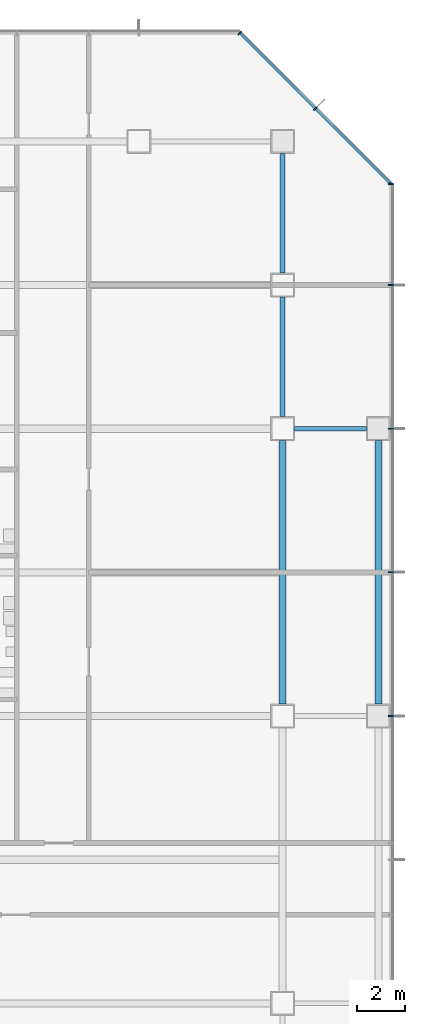
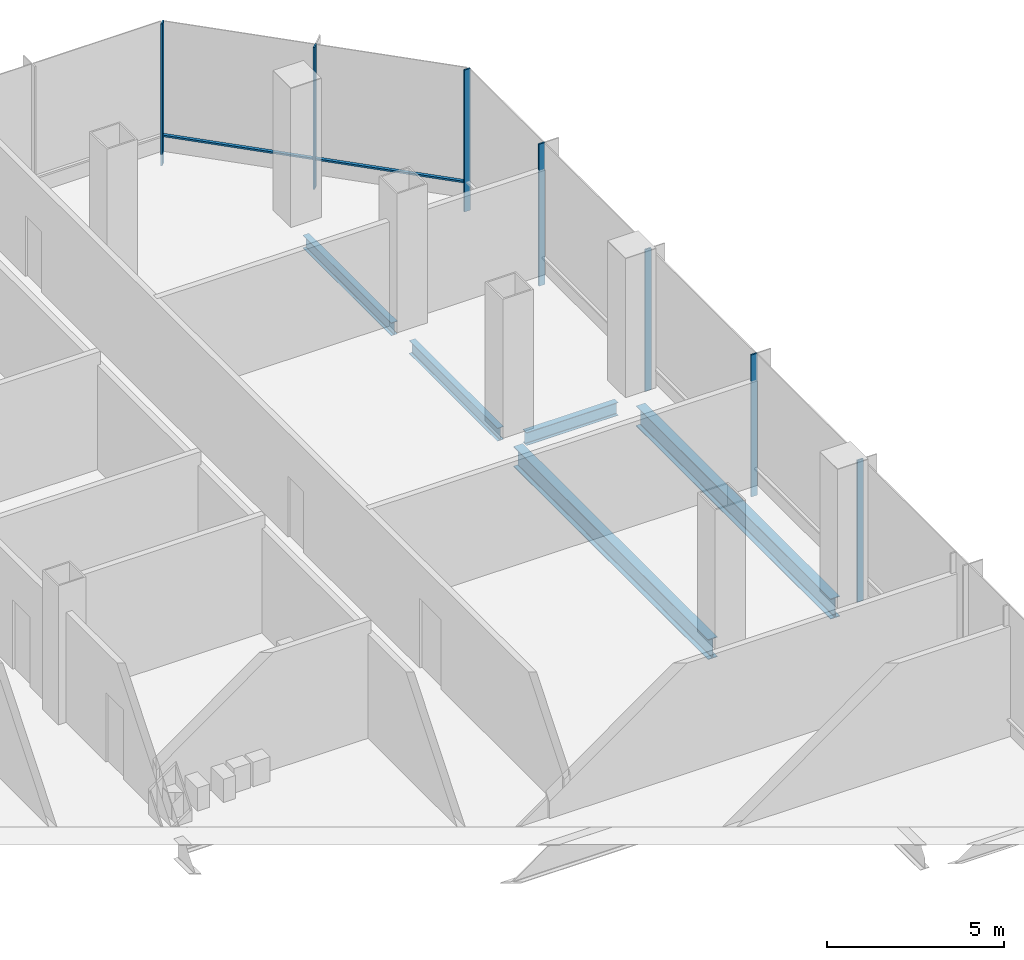
# One storey, part 19 of 34: 8 members, 5 beams, 2 elements without a shape of their own.
"""IFC4 building model written with IfcOpenShell, lengths in metres."""

import ifcopenshell
import ifcopenshell.guid

model = None  # the IFC model being written
_history = None  # IfcOwnerHistory: only IFC2X3 demands one
_inside = {}  # id of a spatial element -> (the spatial element, [elements in it])
_under = {}  # id of a project, library or spatial element -> (it, [spatial elements below it])
_declared = {}  # id of a project -> (the project, [libraries it declares])
_typed = {}  # id of a type object -> (the type object, [elements of that type])
_made_of = {}  # id of a material, layer set ... -> (it, [elements and type objects made of it])


def new_model(schema):
    """Start an empty IFC model of exactly this schema.

    Asked for "IFC4X3", IfcOpenShell would pick the latest addendum, in which some entities
    have other attributes; the version numbers below select the first issue.
    IFC2X3 requires an IfcOwnerHistory on every rooted entity: one is made here for all.
    """
    global model, _history
    if schema == "IFC4X3":
        model = ifcopenshell.file(schema_version=(4, 3, 0, 0))
    else:
        model = ifcopenshell.file(schema=schema)
    _inside.clear()
    _under.clear()
    _declared.clear()
    _typed.clear()
    _made_of.clear()
    _history = None
    if model.schema == "IFC2X3":
        org = make("IfcOrganization", Name="unknown")
        user = make(
            "IfcPersonAndOrganization",
            ThePerson=make("IfcPerson", FamilyName="unknown"),
            TheOrganization=org,
        )
        app = make(
            "IfcApplication",
            ApplicationDeveloper=org,
            Version="unknown",
            ApplicationFullName="unknown",
            ApplicationIdentifier="unknown",
        )
        _history = make(
            "IfcOwnerHistory",
            OwningUser=user,
            OwningApplication=app,
            ChangeAction="ADDED",
            CreationDate=0,
        )
    return model


def make(cls, **values):
    """One entity of the class cls with the attributes given. An attribute that is None is left unset."""
    return model.create_entity(
        cls, **{name: value for name, value in values.items() if value is not None}
    )


def rooted(cls, **values):
    """An entity with a GlobalId (a new one), such as an element, a storey or a relation."""
    return make(cls, GlobalId=ifcopenshell.guid.new(), OwnerHistory=_history, **values)


def si_unit(unit_type, name, prefix=None):
    """IfcSIUnit, for example si_unit("LENGTHUNIT", "METRE", prefix="MILLI")."""
    return make("IfcSIUnit", UnitType=unit_type, Prefix=prefix, Name=name)


def assignment(units):
    """IfcUnitAssignment: the units of a project."""
    return None if units is None else make("IfcUnitAssignment", Units=units)


def point(xyz):
    """IfcCartesianPoint."""
    return None if xyz is None else make("IfcCartesianPoint", Coordinates=xyz)


def direction(xyz):
    """IfcDirection."""
    return None if xyz is None else make("IfcDirection", DirectionRatios=xyz)


def frame(location, z_axis=None, x_axis=None):
    """IfcAxis2Placement3D, a coordinate frame: its origin and axes. An axis left out is left unset."""
    return make(
        "IfcAxis2Placement3D",
        Location=point(location),
        Axis=direction(z_axis),
        RefDirection=direction(x_axis),
    )


def frame_2d(location, x_axis=None):
    """IfcAxis2Placement2D, a coordinate frame in the plane: its origin and x axis."""
    return make(
        "IfcAxis2Placement2D", Location=point(location), RefDirection=direction(x_axis)
    )


def origin():
    """The frame at (0, 0, 0) with its axes left unset."""
    return frame((0.0, 0.0, 0.0))


def origin_2d():
    """The frame at (0, 0) in the plane with its x axis left unset."""
    return frame_2d((0.0, 0.0))


def place(relative_to, where):
    """IfcLocalPlacement: puts the frame where relative to a parent placement (None: the world)."""
    return make(
        "IfcLocalPlacement", PlacementRelTo=relative_to, RelativePlacement=where
    )


def context(
    kind, dimensions, precision=None, world=None, true_north=None, identifier=None
):
    """IfcGeometricRepresentationContext, for example the 3D "Model" context."""
    return make(
        "IfcGeometricRepresentationContext",
        ContextIdentifier=identifier,
        ContextType=kind,
        CoordinateSpaceDimension=dimensions,
        Precision=precision,
        WorldCoordinateSystem=world,
        TrueNorth=true_north,
    )


def subcontext(parent, identifier, kind, view, scale=None):
    """IfcGeometricRepresentationSubContext, for example "Body" below "Model"."""
    return make(
        "IfcGeometricRepresentationSubContext",
        ContextIdentifier=identifier,
        ContextType=kind,
        ParentContext=parent,
        TargetScale=scale,
        TargetView=view,
    )


def project(units=None, contexts=None):
    """IfcProject with its units and contexts."""
    return rooted(
        "IfcProject",
        Name="project",
        RepresentationContexts=contexts,
        UnitsInContext=assignment(units),
    )


def spatial(cls, under=None, at=None, **own):
    """A site, building, storey or space (cls), placed at a placement, below another one or the project."""
    s = rooted(cls, ObjectPlacement=at, **own)
    if under is not None:
        _under.setdefault(under.id(), (under, []))[1].append(s)
    return s


def profile(cls, at=None, kind="AREA", **sizes):
    """A parametric profile (cls). Its sizes go by their IFC names, for example OverallWidth=200.0."""
    return make(cls, ProfileType=kind, Position=at, **sizes)


def rectangle(**sizes):
    """IfcRectangleProfileDef."""
    return profile("IfcRectangleProfileDef", **sizes)


def i_section(**sizes):
    """IfcIShapeProfileDef."""
    return profile("IfcIShapeProfileDef", **sizes)


def extrude(swept, where, along, depth):
    """IfcExtrudedAreaSolid: the profile swept, set in the frame where, extruded along a direction by depth."""
    return make(
        "IfcExtrudedAreaSolid",
        SweptArea=swept,
        Position=where,
        ExtrudedDirection=direction(along),
        Depth=depth,
    )


def shape(context_of_items, identifier, shape_type, items):
    """IfcShapeRepresentation: the items that make up one representation, for example the "Body"."""
    return make(
        "IfcShapeRepresentation",
        ContextOfItems=context_of_items,
        RepresentationIdentifier=identifier,
        RepresentationType=shape_type,
        Items=items,
    )


def material(Name=None, Category=None):
    """IfcMaterial."""
    return make("IfcMaterial", Name=Name, Category=Category)


def material_profile(
    of_material, cross_section, Name=None, Category=None, Priority=None
):
    """IfcMaterialProfile: a cross section and its material."""
    return make(
        "IfcMaterialProfile",
        Name=Name,
        Material=of_material,
        Profile=cross_section,
        Priority=Priority,
        Category=Category,
    )


def profile_set(profiles, Name=None, composite=None):
    """IfcMaterialProfileSet."""
    return make(
        "IfcMaterialProfileSet",
        Name=Name,
        MaterialProfiles=profiles,
        CompositeProfile=composite,
    )


def made_of(thing, what):
    """Note that an element or type object is made of a material, layer set ...; save() writes the relation."""
    if what is not None:
        _made_of.setdefault(what.id(), (what, []))[1].append(thing)
    return thing


def type_object(cls, material=None, **own):
    """A type object (cls), such as IfcWallType, which elements share."""
    return made_of(rooted(cls, **own), material)


def element(
    cls,
    number,
    at=None,
    inside=None,
    cuts=None,
    type_object=None,
    material=None,
    context=None,
    identifier="Body",
    shape_type=None,
    held_by="IfcProductDefinitionShape",
    body=None,
    shapes=None,
    **own,
):
    """One element of the class cls, such as IfcWall. Its Tag is "e" and its number.

    at: its placement. inside: the storey or other place that contains it. cuts: it is an
    opening in that element (IfcRelVoidsElement). A single representation is given by context,
    identifier, shape_type and body (its items); several are given by shapes. held_by: the class
    of the entity that holds the representations. save() writes the other relations.
    """
    e = rooted(cls, Tag="e%d" % number, ObjectPlacement=at, **own)
    if body is not None:
        shapes = [shape(context, identifier, shape_type, body)]
    if shapes is not None:
        e.Representation = make(held_by, Representations=shapes)
    if inside is not None:
        _inside.setdefault(inside.id(), (inside, []))[1].append(e)
    if cuts is not None:
        rooted(
            "IfcRelVoidsElement", RelatingBuildingElement=cuts, RelatedOpeningElement=e
        )
    if type_object is not None:
        _typed.setdefault(type_object.id(), (type_object, []))[1].append(e)
    return made_of(e, material)


def aggregate(whole, parts):
    """IfcRelAggregates: a whole, such as a stair, and the parts it consists of."""
    return rooted("IfcRelAggregates", RelatingObject=whole, RelatedObjects=parts)


def save(model, path):
    """Write the relations noted so far, then the file.

    IfcRelAggregates (storeys below a building ...), IfcRelContainedInSpatialStructure (elements
    in a storey), IfcRelDefinesByType, IfcRelAssociatesMaterial and IfcRelDeclares: one each for
    every whole, place, type object, material and project.
    """
    for whole, parts in _under.values():
        aggregate(whole, parts)
    for where, things in _inside.values():
        rooted(
            "IfcRelContainedInSpatialStructure",
            RelatedElements=things,
            RelatingStructure=where,
        )
    for kind, things in _typed.values():
        rooted("IfcRelDefinesByType", RelatedObjects=things, RelatingType=kind)
    for what, things in _made_of.values():
        rooted("IfcRelAssociatesMaterial", RelatedObjects=things, RelatingMaterial=what)
    for by, libraries in _declared.values():
        rooted("IfcRelDeclares", RelatingContext=by, RelatedDefinitions=libraries)
    model.write(path)


model = new_model("IFC4")

# Units and contexts
model_context = context("Model", 3, precision=1e-05, world=origin(), true_north=direction((0.0, 1.0)))
body_context = subcontext(model_context, "Body", "Model", "MODEL_VIEW")
ifc_project = project(units=[si_unit("LENGTHUNIT", "METRE"), si_unit("AREAUNIT", "SQUARE_METRE"), si_unit("VOLUMEUNIT", "CUBIC_METRE"), si_unit("PLANEANGLEUNIT", "RADIAN"), si_unit("MASSUNIT", "GRAM", prefix="KILO")], contexts=[model_context])

# Site, building, storey
site_placement = place(None, origin())
site = spatial("IfcSite", under=ifc_project, at=site_placement, CompositionType="ELEMENT")
building_placement = place(site_placement, origin())
building = spatial("IfcBuilding", under=site, at=building_placement, Name="Sorahane Residences", CompositionType="ELEMENT")
storey_placement = place(building_placement, frame((0.0, 0.0, 39.60009765625)))
storey = spatial("IfcBuildingStorey", under=building, at=storey_placement, Name="L06", CompositionType="ELEMENT", Elevation=39.60009765625)

# Curtain wall, members
ifc_material_1 = material(Name="Dark low-e glass and black anodised aluminium", Category="aluminium")
curtain_wall_type = type_object("IfcCurtainWallType", Name="Curtain wall CW-3 Podium unitised wall", PredefinedType="NOTDEFINED", material=ifc_material_1)
curtain_wall_1_placement = place(storey_placement, origin())
curtain_wall_1 = element("IfcCurtainWall", 1, at=curtain_wall_1_placement, inside=storey, type_object=curtain_wall_type, Name="CW-3 curtain wall L06 E1", PredefinedType="NOTDEFINED")
ifc_material_2 = material(Name="Black anodised aluminium", Category="aluminium")
ifc_material_profile_1 = material_profile(ifc_material_2, rectangle(XDim=0.199951171875, YDim=0.050048828125, at=origin_2d()), Name="Curtain wall mullion CW-3 black anodised aluminium 50x200")
ifc_profile_set_1 = profile_set([ifc_material_profile_1], Name="Black anodised aluminium")
member_type_1 = type_object("IfcMemberType", Name="Curtain wall mullion CW-3 black anodised aluminium 50x200", PredefinedType="MULLION", material=ifc_profile_set_1)
member_1_placement = place(storey_placement, frame((70.52001953125, 24.0, -0.400146484375), z_axis=(0.0, 0.0, 1.0), x_axis=(1.0, 0.0, 0.0)))
member_1 = element("IfcMember", 2, at=member_1_placement, type_object=member_type_1, Name="CW-3 mullion L06 E1.7", PredefinedType="MULLION", context=body_context, shape_type="SweptSolid", body=[
    extrude(rectangle(XDim=0.199951171875, YDim=0.050048828125, at=origin_2d()), origin(), (0.0, 0.0, 1.0), 4.900146484375),
])
member_2_placement = place(storey_placement, frame((70.52001953125, 30.0, -0.400146484375), z_axis=(0.0, 0.0, 1.0), x_axis=(1.0, 0.0, 0.0)))
member_2 = element("IfcMember", 3, at=member_2_placement, type_object=member_type_1, Name="CW-3 mullion L06 E1.8", PredefinedType="MULLION", context=body_context, shape_type="SweptSolid", body=[
    extrude(rectangle(XDim=0.199951171875, YDim=0.050048828125, at=origin_2d()), origin(), (0.0, 0.0, 1.0), 4.900146484375),
])
member_3_placement = place(storey_placement, frame((70.52001953125, 36.0, -0.400146484375), z_axis=(0.0, 0.0, 1.0), x_axis=(1.0, 0.0, 0.0)))
member_3 = element("IfcMember", 4, at=member_3_placement, type_object=member_type_1, Name="CW-3 mullion L06 E1.9", PredefinedType="MULLION", context=body_context, shape_type="SweptSolid", body=[
    extrude(rectangle(XDim=0.199951171875, YDim=0.050048828125, at=origin_2d()), origin(), (0.0, 0.0, 1.0), 4.900146484375),
])
member_4_placement = place(storey_placement, frame((70.52001953125, 42.0, -0.400146484375), z_axis=(0.0, 0.0, 1.0), x_axis=(1.0, 0.0, 0.0)))
member_4 = element("IfcMember", 5, at=member_4_placement, type_object=member_type_1, Name="CW-3 mullion L06 E1.10", PredefinedType="MULLION", context=body_context, shape_type="SweptSolid", body=[
    extrude(rectangle(XDim=0.199951171875, YDim=0.050048828125, at=origin_2d()), origin(), (0.0, 0.0, 1.0), 4.900146484375),
])
member_5_placement = place(storey_placement, frame((70.52001953125, 46.2236328125, -0.400146484375), z_axis=(0.0, 0.0, 1.0), x_axis=(1.0, 0.0, 0.0)))
member_5 = element("IfcMember", 6, at=member_5_placement, type_object=member_type_1, Name="CW-3 mullion L06 E1.11", PredefinedType="MULLION", context=body_context, shape_type="SweptSolid", body=[
    extrude(rectangle(XDim=0.199951171875, YDim=0.050048828125, at=origin_2d()), origin(), (0.0, 0.0, 1.0), 4.900146484375),
])
aggregate(curtain_wall_1, [member_1, member_2, member_3, member_4, member_5])

curtain_wall_2_placement = place(storey_placement, origin())
curtain_wall_2 = element("IfcCurtainWall", 7, at=curtain_wall_2_placement, inside=storey, type_object=curtain_wall_type, Name="CW-3 curtain wall L06 NE1", PredefinedType="NOTDEFINED")
member_6_placement = place(storey_placement, frame((67.36767578125, 49.36767578125, -0.400146484375), z_axis=(0.0, 0.0, 1.0), x_axis=(0.707106781187, 0.707106781187, 0.0)))
member_6 = element("IfcMember", 8, at=member_6_placement, type_object=member_type_1, Name="CW-3 mullion L06 NE1.2", PredefinedType="MULLION", context=body_context, shape_type="SweptSolid", body=[
    extrude(rectangle(XDim=0.199951171875, YDim=0.050048828125, at=origin_2d()), origin(), (0.0, 0.0, 1.0), 4.900146484375),
])
member_7_placement = place(storey_placement, frame((64.209716796875, 52.525634765625, -0.400146484375), z_axis=(0.0, 0.0, 1.0), x_axis=(0.707106781187, 0.707106781187, 0.0)))
member_7 = element("IfcMember", 9, at=member_7_placement, type_object=member_type_1, Name="CW-3 mullion L06 NE1.3", PredefinedType="MULLION", context=body_context, shape_type="SweptSolid", body=[
    extrude(rectangle(XDim=0.199951171875, YDim=0.050048828125, at=origin_2d()), origin(), (0.0, 0.0, 1.0), 4.900146484375),
])
ifc_material_3 = material(Name="Black anodised aluminium", Category="aluminium")
ifc_material_profile_2 = material_profile(ifc_material_3, rectangle(XDim=0.10009765625, YDim=0.06005859375, at=origin_2d()), Name="Curtain wall transom CW-3 black anodised aluminium 60x100")
ifc_profile_set_2 = profile_set([ifc_material_profile_2], Name="Black anodised aluminium")
member_type_2 = type_object("IfcMemberType", Name="Curtain wall transom CW-3 black anodised aluminium 60x100", PredefinedType="USERDEFINED", material=ifc_profile_set_2)
member_8_placement = place(storey_placement, frame((70.51513671875, 46.234375, 0.599853515625), z_axis=(-0.707106781187, 0.707106781187, 0.0), x_axis=(-0.707106781187, -0.707106781187, 0.0)))
member_8 = element("IfcMember", 10, at=member_8_placement, type_object=member_type_2, Name="CW-3 transom L06 NE1", ObjectType="TRANSOM", PredefinedType="USERDEFINED", context=body_context, shape_type="SweptSolid", body=[
    extrude(rectangle(XDim=0.10009765625, YDim=0.06005859375, at=origin_2d()), origin(), (0.0, 0.0, 1.0), 8.88232421875),
])
aggregate(curtain_wall_2, [member_6, member_7, member_8])

# Beams
ifc_material_4 = material(Name="Steel Q355B", Category="steel")
ifc_material_profile_3 = material_profile(ifc_material_4, i_section(OverallWidth=0.199951171875, OverallDepth=0.449951171875, WebThickness=0.009033203125, FlangeThickness=0.013916015625, FilletRadius=0.02001953125, at=origin_2d()), Name="HN 450x200x9x14")
ifc_profile_set_3 = profile_set([ifc_material_profile_3], Name="Steel Q355B")
beam_type_1 = type_object("IfcBeamType", Name="Steel floor beam HN 450x200x9x14 Q355B", PredefinedType="BEAM", material=ifc_profile_set_3)
beam_placement = place(storey_placement, frame((66.5, 36.0, -0.625), z_axis=(1.0, 0.0, 0.0), x_axis=(0.0, 1.0, 0.0)))
element("IfcBeam", 11, at=beam_placement, inside=storey, type_object=beam_type_1, Name="Beam L06 017", PredefinedType="BEAM", context=body_context, shape_type="SweptSolid", body=[
    extrude(i_section(OverallWidth=0.199951171875, OverallDepth=0.449951171875, WebThickness=0.009033203125, FlangeThickness=0.013916015625, FilletRadius=0.02001953125, at=origin_2d()), origin(), (0.0, 0.0, 1.0), 3.0),
])
for number, where, z_axis, x_axis, name in (
    (12, (66.0, 36.5, -0.625), (0.0, 1.0, 0.0), (-1.0, 0.0, 0.0), "Beam L06 074"),
    (13, (66.0, 42.5, -0.625), (0.0, 1.0, 0.0), (-1.0, 0.0, 0.0), "Beam L06 075"),
):
    element("IfcBeam", number, at=place(storey_placement, frame(where, z_axis=z_axis, x_axis=x_axis)), inside=storey, type_object=beam_type_1, Name=name, PredefinedType="BEAM", context=body_context, shape_type="SweptSolid", body=[
        extrude(i_section(OverallWidth=0.199951171875, OverallDepth=0.449951171875, WebThickness=0.009033203125, FlangeThickness=0.013916015625, FilletRadius=0.02001953125, at=origin_2d()), origin(), (0.0, 0.0, 1.0), 5.0),
    ])
ifc_material_5 = material(Name="Steel Q355B", Category="steel")
ifc_material_profile_4 = material_profile(ifc_material_5, i_section(OverallWidth=0.300048828125, OverallDepth=0.699951171875, WebThickness=0.012939453125, FlangeThickness=0.02392578125, FilletRadius=0.028076171875, at=origin_2d()), Name="HN 700x300x13x24")
ifc_profile_set_4 = profile_set([ifc_material_profile_4], Name="Steel Q355B")
beam_type_2 = type_object("IfcBeamType", Name="Steel floor beam HN 700x300x13x24 Q355B", PredefinedType="BEAM", material=ifc_profile_set_4)
for number, where, z_axis, x_axis, name in (
    (14, (66.0, 24.5, -0.75), (0.0, 1.0, 0.0), (-1.0, 0.0, 0.0), "Beam L06 073"),
    (15, (70.0, 24.5, -0.75), (0.0, 1.0, 0.0), (-1.0, 0.0, 0.0), "Beam L06 078"),
):
    element("IfcBeam", number, at=place(storey_placement, frame(where, z_axis=z_axis, x_axis=x_axis)), inside=storey, type_object=beam_type_2, Name=name, PredefinedType="BEAM", context=body_context, shape_type="SweptSolid", body=[
        extrude(i_section(OverallWidth=0.300048828125, OverallDepth=0.699951171875, WebThickness=0.012939453125, FlangeThickness=0.02392578125, FilletRadius=0.028076171875, at=origin_2d()), origin(), (0.0, 0.0, 1.0), 11.0),
    ])

save(model, "model.ifc")
